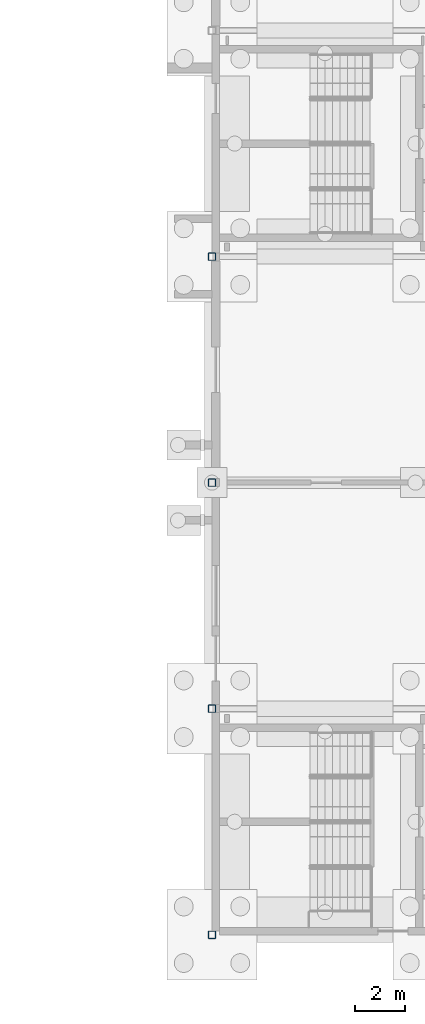
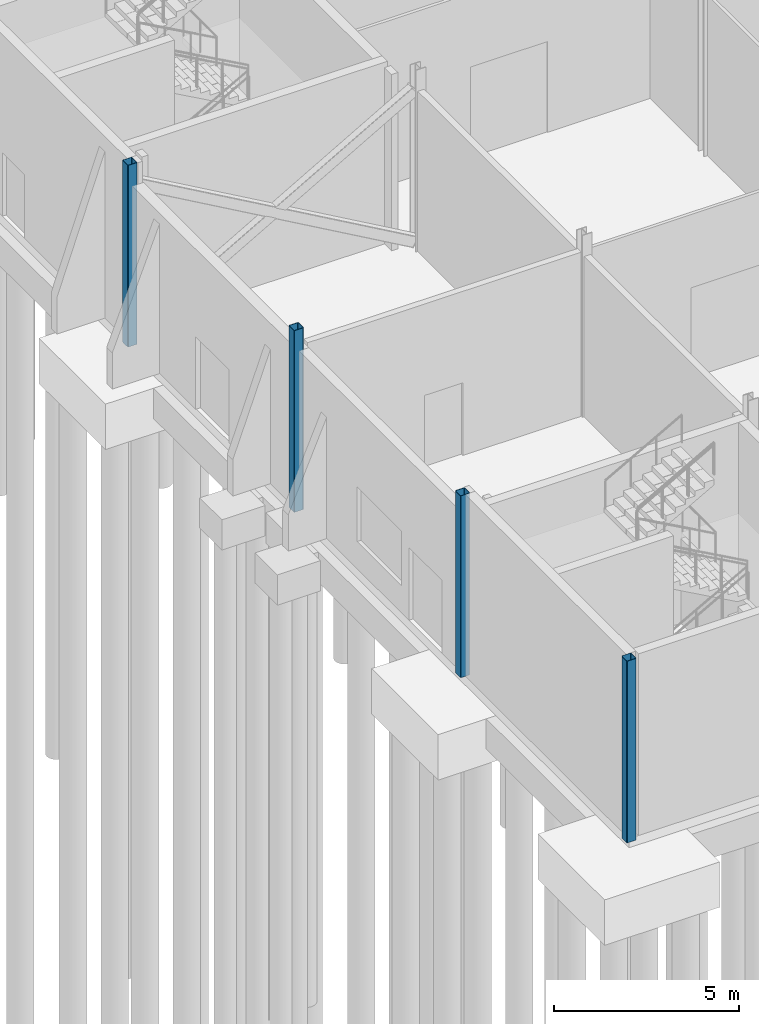
# One storey, part 16 of 139: 4 columns.
"""IFC4 building model written with IfcOpenShell, lengths in metres."""

from ifc_helpers import new_model, si_unit, direction, frame, origin, origin_2d, place, context, subcontext, project, spatial, hollow_rectangle, extrude, material, material_profile, profile_set, type_object, element, save


model = new_model("IFC4")

# Units and contexts
model_context = context("Model", 3, precision=1e-05, world=origin(), true_north=direction((0.0, 1.0)))
body_context = subcontext(model_context, "Body", "Model", "MODEL_VIEW")
ifc_project = project(units=[si_unit("LENGTHUNIT", "METRE"), si_unit("AREAUNIT", "SQUARE_METRE"), si_unit("VOLUMEUNIT", "CUBIC_METRE"), si_unit("PLANEANGLEUNIT", "RADIAN"), si_unit("MASSUNIT", "GRAM", prefix="KILO")], contexts=[model_context])

# Site, building, storey
site_placement = place(None, origin())
site = spatial("IfcSite", under=ifc_project, at=site_placement, CompositionType="ELEMENT")
building_placement = place(site_placement, origin())
building = spatial("IfcBuilding", under=site, at=building_placement, Name="Shorebreak Coast Museum", CompositionType="ELEMENT")
storey_placement = place(building_placement, origin())
storey = spatial("IfcBuildingStorey", under=building, at=storey_placement, Name="L00", CompositionType="ELEMENT", Elevation=0.0)

# Columns
ifc_material = material(Name="Steel Grade C450L0", Category="steel")
ifc_material_profile = material_profile(ifc_material, hollow_rectangle(XDim=0.300048828125, YDim=0.300048828125, WallThickness=0.012451171875, InnerFilletRadius=0.018798828125, OuterFilletRadius=0.03125, at=origin_2d()), Name="300x300x12.5 SHS")
ifc_profile_set = profile_set([ifc_material_profile], Name="Steel Grade C450L0")
column_type = type_object("IfcColumnType", Name="Column 300x300x12.5 SHS", PredefinedType="COLUMN", material=ifc_profile_set)
for number, where, z_axis, x_axis, name in (
    (1, (54.0, 0.0, 0.0), (0.0, 0.0, 1.0), (1.0, 0.0, 0.0), "Column L00 7A"),
    (2, (54.0, 9.0, 0.0), (0.0, 0.0, 1.0), (1.0, 0.0, 0.0), "Column L00 7B"),
    (3, (54.0, 18.0, 0.0), (0.0, 0.0, 1.0), (1.0, 0.0, 0.0), "Column L00 7C"),
    (4, (54.0, 27.0, 0.0), (0.0, 0.0, 1.0), (1.0, 0.0, 0.0), "Column L00 7D"),
):
    element("IfcColumn", number, at=place(storey_placement, frame(where, z_axis=z_axis, x_axis=x_axis)), inside=storey, type_object=column_type, Name=name, PredefinedType="COLUMN", context=body_context, shape_type="SweptSolid", body=[
        extrude(hollow_rectangle(XDim=0.300048828125, YDim=0.300048828125, WallThickness=0.012451171875, InnerFilletRadius=0.018798828125, OuterFilletRadius=0.03125, at=origin_2d()), origin(), (0.0, 0.0, 1.0), 6.0),
    ])

save(model, "model.ifc")
